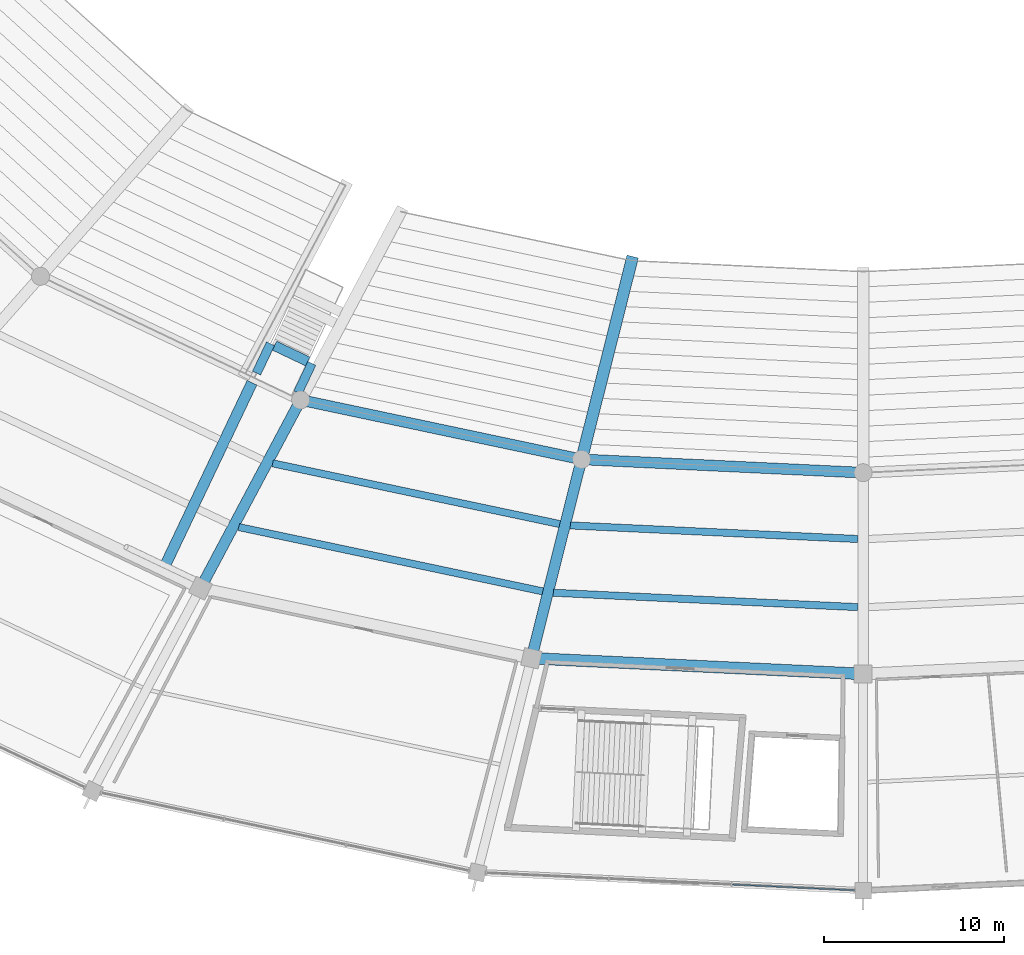
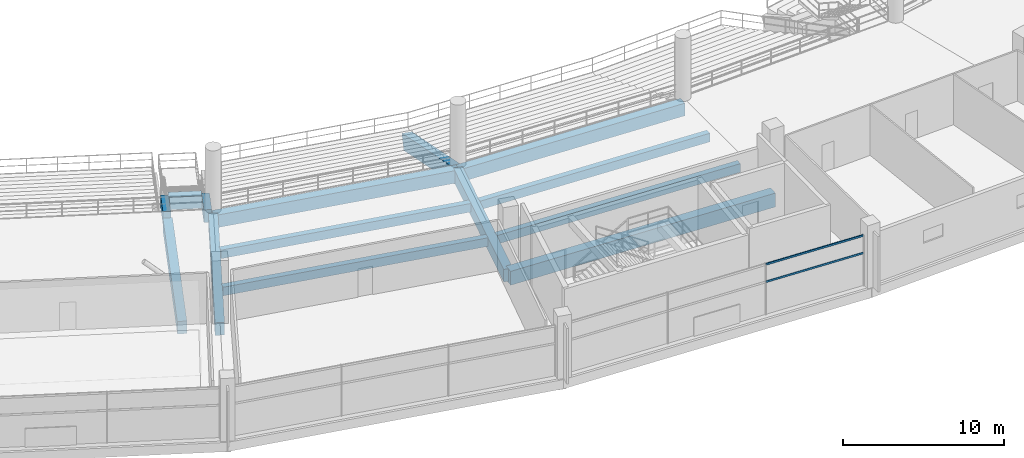
# One storey, part 20 of 156: 14 beams, 2 members, 1 element without a shape of its own.
"""IFC4 building model written with IfcOpenShell, lengths in metres."""

from ifc_helpers import new_model, si_unit, direction, frame, origin, origin_2d, place, context, subcontext, project, spatial, rectangle, hollow_rectangle, extrude, material, layer, layer_set, material_profile, profile_set, type_object, element, aggregate, save


model = new_model("IFC4")

# Units and contexts
model_context = context("Model", 3, precision=1e-05, world=origin(), true_north=direction((0.0, 1.0)))
body_context = subcontext(model_context, "Body", "Model", "MODEL_VIEW")
ifc_project = project(units=[si_unit("LENGTHUNIT", "METRE"), si_unit("AREAUNIT", "SQUARE_METRE"), si_unit("VOLUMEUNIT", "CUBIC_METRE"), si_unit("PLANEANGLEUNIT", "RADIAN"), si_unit("MASSUNIT", "GRAM", prefix="KILO")], contexts=[model_context])

# Site, building, storey
site_placement = place(None, origin())
site = spatial("IfcSite", under=ifc_project, at=site_placement, CompositionType="ELEMENT")
building_placement = place(site_placement, origin())
building = spatial("IfcBuilding", under=site, at=building_placement, Name="Kazemori Nagisa Stadium", CompositionType="ELEMENT")
storey_placement = place(building_placement, frame((0.0, 0.0, 5.780029296875)))
storey = spatial("IfcBuildingStorey", under=building, at=storey_placement, Name="L01", CompositionType="ELEMENT", Elevation=5.780029296875)

# Beams
ifc_material_1 = material(Name="Concrete C40/50 (Fc42)", Category="concrete")
ifc_material_profile_1 = material_profile(ifc_material_1, rectangle(XDim=0.60009765625, YDim=0.949951171875, at=origin_2d()), Name="RC-BM-600x950")
ifc_profile_set_1 = profile_set([ifc_material_profile_1], Name="Concrete C40/50 (Fc42)")
beam_type_1 = type_object("IfcBeamType", Name="Beam_BG-RC600X950", PredefinedType="BEAM", material=ifc_profile_set_1)
beam_1_placement = place(storey_placement, frame((91.75244140625, 43.260986328125, -0.755126953125), z_axis=(0.978348272746, -0.206965352692, 0.0), x_axis=(0.206965352692, 0.978348272746, 0.0)))
element("IfcBeam", 1, at=beam_1_placement, inside=storey, type_object=beam_type_1, Name="Ring girder BG-RC600X950 L01 R1-20", PredefinedType="BEAM", context=body_context, shape_type="SweptSolid", body=[
    extrude(rectangle(XDim=0.60009765625, YDim=0.949951171875, at=origin_2d()), origin(), (0.0, 0.0, 1.0), 15.950927734375),
])
beam_2_placement = place(storey_placement, frame((107.35791015625, 39.959716796875, -0.755126953125), z_axis=(0.998883604512, -0.047239227746, 0.0), x_axis=(0.047239227746, 0.998883604512, 0.0)))
element("IfcBeam", 2, at=beam_2_placement, inside=storey, type_object=beam_type_1, Name="Ring girder BG-RC600X950 L01 R1-21", PredefinedType="BEAM", context=body_context, shape_type="SweptSolid", body=[
    extrude(rectangle(XDim=0.60009765625, YDim=0.949951171875, at=origin_2d()), origin(), (0.0, 0.0, 1.0), 15.65966796875),
])
beam_3_placement = place(storey_placement, frame((91.75244140625, 43.260986328125, -0.755126953125), z_axis=(-0.469646804203, -0.882854393036, 0.0), x_axis=(0.882854393036, -0.469646804203, 0.0)))
element("IfcBeam", 3, at=beam_3_placement, inside=storey, type_object=beam_type_1, Name="Radial girder BG-RC600X950 L01 R1-R2-20", PredefinedType="BEAM", context=body_context, shape_type="SweptSolid", body=[
    extrude(rectangle(XDim=0.60009765625, YDim=0.949951171875, at=origin_2d()), origin(), (0.0, 0.0, 1.0), 11.84814453125),
])
beam_4_placement = place(storey_placement, frame((107.35791015625, 39.959716796875, -0.755126953125), z_axis=(-0.244481205955, -0.969654031052, 0.0), x_axis=(0.969654031052, -0.244481205955, 0.0)))
element("IfcBeam", 4, at=beam_4_placement, inside=storey, type_object=beam_type_1, Name="Radial girder BG-RC600X950 L01 R1-R2-21", PredefinedType="BEAM", context=body_context, shape_type="SweptSolid", body=[
    extrude(rectangle(XDim=0.60009765625, YDim=0.949951171875, at=origin_2d()), origin(), (0.0, 0.0, 1.0), 11.39404296875),
])
beam_5_placement = place(storey_placement, frame((89.0517578125, 44.2177734375, -0.755126953125), z_axis=(-0.429181294467, -0.903218365889, 0.0), x_axis=(0.903218365889, -0.429181294467, 0.0)))
element("IfcBeam", 5, at=beam_5_placement, inside=storey, type_object=beam_type_1, Name="Lower vomitory right backspan girder B19", PredefinedType="BEAM", context=body_context, shape_type="SweptSolid", body=[
    extrude(rectangle(XDim=0.60009765625, YDim=0.949951171875, at=origin_2d()), origin(), (0.0, 0.0, 1.0), 11.201171875),
])
ifc_material_profile_2 = material_profile(ifc_material_1, rectangle(XDim=0.64990234375, YDim=1.050048828125, at=origin_2d()), Name="RC-BM-650x1050")
ifc_profile_set_2 = profile_set([ifc_material_profile_2], Name="Concrete C40/50 (Fc42)")
beam_type_2 = type_object("IfcBeamType", Name="Beam_BG-RC650X1050", PredefinedType="BEAM", material=ifc_profile_set_2)
beam_6_placement = place(storey_placement, frame((104.572265625, 28.911376953125, -0.804931640625), z_axis=(0.9988839804, -0.047231278829, 0.0), x_axis=(0.047231278829, 0.9988839804, 0.0)))
element("IfcBeam", 6, at=beam_6_placement, inside=storey, type_object=beam_type_2, Name="Ring girder BG-RC650X1050 L01 R2-21", PredefinedType="BEAM", context=body_context, shape_type="SweptSolid", body=[
    extrude(rectangle(XDim=0.64990234375, YDim=1.050048828125, at=origin_2d()), origin(), (0.0, 0.0, 1.0), 18.4482421875),
])
ifc_material_profile_3 = material_profile(ifc_material_1, rectangle(XDim=0.5, YDim=0.949951171875, at=origin_2d()), Name="RC-BM-500x950")
ifc_profile_set_3 = profile_set([ifc_material_profile_3], Name="Concrete C40/50 (Fc42)")
beam_type_3 = type_object("IfcBeamType", Name="Beam_BG-TR500X950", PredefinedType="BEAM", material=ifc_profile_set_3)
for number, where, z_axis, x_axis, name in (
    (7, (92.373779296875, 45.291015625, -0.695068359375), (-0.42916164922, -0.903227700438, 0.0), (0.903227700438, -0.42916164922, 0.0), "Lower vomitory left trimmer girder B19"),
    (8, (90.07958984375, 46.381103515625, -0.695068359375), (-0.42916164922, -0.903227700438, 0.0), (0.903227700438, -0.42916164922, 0.0), "Lower vomitory right trimmer girder B19"),
):
    element("IfcBeam", number, at=place(storey_placement, frame(where, z_axis=z_axis, x_axis=x_axis)), inside=storey, type_object=beam_type_3, Name=name, PredefinedType="BEAM", context=body_context, shape_type="SweptSolid", body=[
        extrude(rectangle(XDim=0.5, YDim=0.949951171875, at=origin_2d()), origin(), (0.0, 0.0, 1.0), 1.804931640625),
    ])
ifc_material_profile_4 = material_profile(ifc_material_1, rectangle(XDim=0.550048828125, YDim=0.949951171875, at=origin_2d()), Name="RC-BM-550x950")
ifc_profile_set_4 = profile_set([ifc_material_profile_4], Name="Concrete C40/50 (Fc42)")
beam_type_4 = type_object("IfcBeamType", Name="Beam_BG-TR550X950", PredefinedType="BEAM", material=ifc_profile_set_4)
beam_7_placement = place(storey_placement, frame((92.152587890625, 45.39599609375, -0.695068359375), z_axis=(-0.903203642192, 0.429212279333, 0.0), x_axis=(-0.429212279333, -0.903203642192, 0.0)))
element("IfcBeam", 9, at=beam_7_placement, inside=storey, type_object=beam_type_4, Name="Lower vomitory portal header girder B19", PredefinedType="BEAM", context=body_context, shape_type="SweptSolid", body=[
    extrude(rectangle(XDim=0.550048828125, YDim=0.949951171875, at=origin_2d()), origin(), (0.0, 0.0, 1.0), 2.050048828125),
])
ifc_material_profile_5 = material_profile(ifc_material_1, rectangle(XDim=0.39990234375, YDim=0.64990234375, at=origin_2d()), Name="RC-BM-400x650")
ifc_profile_set_5 = profile_set([ifc_material_profile_5], Name="Concrete C40/50 (Fc42)")
beam_type_5 = type_object("IfcBeamType", Name="Beam_BJ-RC400X650", PredefinedType="JOIST", material=ifc_profile_set_5)
beam_8_placement = place(storey_placement, frame((90.200439453125, 39.739990234375, -0.60498046875), z_axis=(0.978345737153, -0.206977338361, 0.0), x_axis=(0.206977338361, 0.978345737153, 0.0)))
element("IfcBeam", 10, at=beam_8_placement, inside=storey, type_object=beam_type_5, Name="Concourse joist BJ-RC400X650 L01 B20-1", PredefinedType="JOIST", context=body_context, shape_type="SweptSolid", body=[
    extrude(rectangle(XDim=0.39990234375, YDim=0.64990234375, at=origin_2d()), origin(), (0.0, 0.0, 1.0), 16.30029296875),
])
beam_9_placement = place(storey_placement, frame((88.317138671875, 36.19970703125, -0.60498046875), z_axis=(0.97834325925, -0.206989050628, 0.0), x_axis=(0.206989050628, 0.97834325925, 0.0)))
element("IfcBeam", 11, at=beam_9_placement, inside=storey, type_object=beam_type_5, Name="Concourse joist BJ-RC400X650 L01 B20-2", PredefinedType="JOIST", context=body_context, shape_type="SweptSolid", body=[
    extrude(rectangle(XDim=0.39990234375, YDim=0.64990234375, at=origin_2d()), origin(), (0.0, 0.0, 1.0), 17.26171875),
])
beam_10_placement = place(storey_placement, frame((106.73095703125, 36.291259765625, -0.60498046875), z_axis=(0.998883867028, -0.047233676462, 0.0), x_axis=(0.047233676462, 0.998883867028, 0.0)))
element("IfcBeam", 12, at=beam_10_placement, inside=storey, type_object=beam_type_5, Name="Concourse joist BJ-RC400X650 L01 B21-1", PredefinedType="JOIST", context=body_context, shape_type="SweptSolid", body=[
    extrude(rectangle(XDim=0.39990234375, YDim=0.64990234375, at=origin_2d()), origin(), (0.0, 0.0, 1.0), 15.9921875),
])
beam_11_placement = place(storey_placement, frame((105.788330078125, 32.5517578125, -0.60498046875), z_axis=(0.998884256715, -0.047225434754, 0.0), x_axis=(0.047225434754, 0.998884256715, 0.0)))
element("IfcBeam", 13, at=beam_11_placement, inside=storey, type_object=beam_type_5, Name="Concourse joist BJ-RC400X650 L01 B21-2", PredefinedType="JOIST", context=body_context, shape_type="SweptSolid", body=[
    extrude(rectangle(XDim=0.39990234375, YDim=0.64990234375, at=origin_2d()), origin(), (0.0, 0.0, 1.0), 16.935791015625),
])
ifc_material_profile_6 = material_profile(ifc_material_1, rectangle(XDim=0.64990234375, YDim=1.10009765625, at=origin_2d()), Name="RC-RK-650x1100")
ifc_profile_set_6 = profile_set([ifc_material_profile_6], Name="Concrete C40/50 (Fc42)")
beam_type_6 = type_object("IfcBeamType", Name="Beam_RK-RC650X1100", PredefinedType="USERDEFINED", material=ifc_profile_set_6)
beam_12_placement = place(storey_placement, frame((110.143310546875, 51.0078125, -5.97998046875), z_axis=(-0.222767621048, -0.88359217769, 0.411873100042), x_axis=(0.969657829837, -0.244466138833, 0.0)))
element("IfcBeam", 14, at=beam_12_placement, inside=storey, type_object=beam_type_6, Name="Raker beam lower RK1-21", ObjectType="RAKER BEAM", PredefinedType="USERDEFINED", context=body_context, shape_type="SweptSolid", body=[
    extrude(rectangle(XDim=0.64990234375, YDim=1.10009765625, at=origin_2d()), origin(), (0.0, 0.0, 1.0), 12.503662109375),
])

# Curtain wall, members
ifc_material_2 = material(Name="Anodised aluminium 6063-T5", Category="aluminium")
ifc_layer = layer(ifc_material_2, 0.179931640625, Name="Anodised aluminium 6063-T5", Category="aluminium")
ifc_layer_set = layer_set([ifc_layer], Name="Anodised aluminium 6063-T5")
curtain_wall_type = type_object("IfcCurtainWallType", Name="CW_L01R3_103", PredefinedType="USERDEFINED", material=ifc_layer_set)
curtain_wall_placement = place(storey_placement, origin())
curtain_wall = element("IfcCurtainWall", 15, at=curtain_wall_placement, inside=storey, type_object=curtain_wall_type, Name="Unitised curtain wall CW-L01R3-103 L01", ObjectType="UNITISED CURTAIN WALL", PredefinedType="USERDEFINED")
ifc_material_3 = material(Name="Aluminium 6063-T5 anodised", Category="aluminium")
ifc_material_profile_7 = material_profile(ifc_material_3, hollow_rectangle(XDim=0.070068359375, YDim=0.139892578125, WallThickness=0.00390625, at=origin_2d()), Name="ALU-TRAN-70x140x4")
ifc_profile_set_7 = profile_set([ifc_material_profile_7], Name="Aluminium 6063-T5 anodised")
member_type = type_object("IfcMemberType", Name="Transom_T01", PredefinedType="USERDEFINED", material=ifc_profile_set_7)
member_1_placement = place(storey_placement, frame((115.71923828125, 16.34423828125, 2.4638671875), z_axis=(0.998884581669, -0.047218561007, 0.0), x_axis=(0.047218561007, 0.998884581669, 0.0)))
member_1 = element("IfcMember", 16, at=member_1_placement, type_object=member_type, Name="Curtain wall transom CW-L01R3-103-T3-mid", ObjectType="TRANSOM", PredefinedType="USERDEFINED", context=body_context, shape_type="SweptSolid", body=[
    extrude(hollow_rectangle(XDim=0.070068359375, YDim=0.139892578125, WallThickness=0.00390625, at=origin_2d()), origin(), (0.0, 0.0, 1.0), 6.7939453125),
])
member_2_placement = place(storey_placement, frame((115.71923828125, 16.34423828125, 3.780029296875), z_axis=(0.998884581669, -0.047218561007, 0.0), x_axis=(0.047218561007, 0.998884581669, 0.0)))
member_2 = element("IfcMember", 17, at=member_2_placement, type_object=member_type, Name="Curtain wall transom CW-L01R3-103-T3-head", ObjectType="TRANSOM", PredefinedType="USERDEFINED", context=body_context, shape_type="SweptSolid", body=[
    extrude(hollow_rectangle(XDim=0.070068359375, YDim=0.139892578125, WallThickness=0.00390625, at=origin_2d()), origin(), (0.0, 0.0, 1.0), 6.7939453125),
])
aggregate(curtain_wall, [member_1, member_2])

save(model, "model.ifc")
